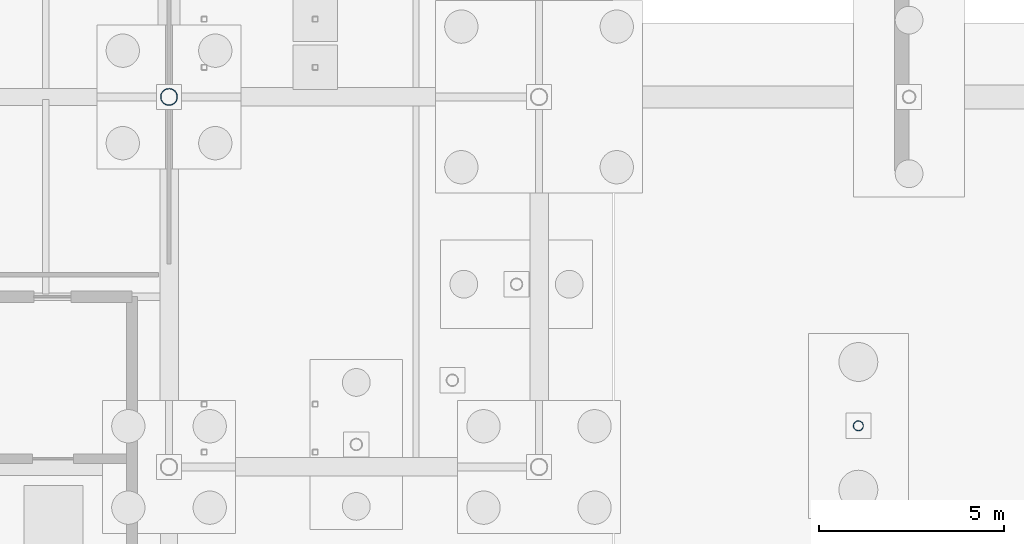
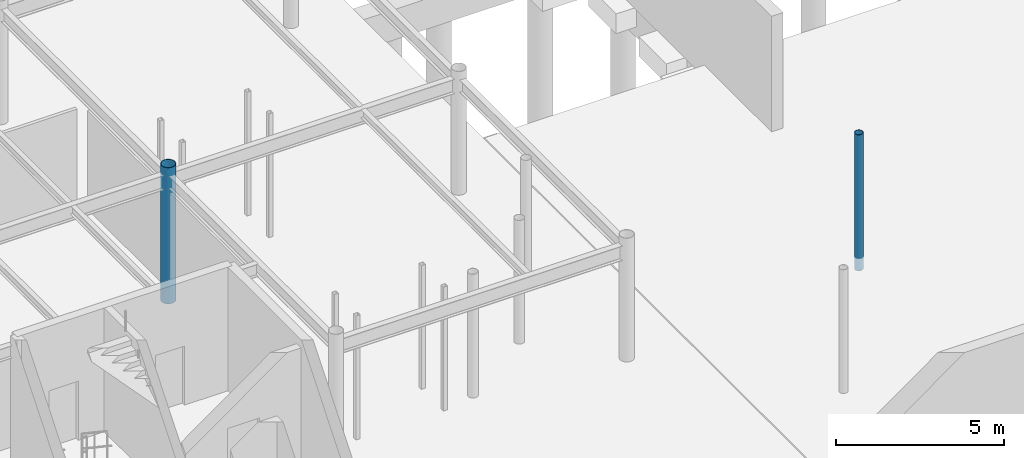
# One storey, part 41 of 75: 2 columns.
"""IFC4 building model written with IfcOpenShell, lengths in metres."""

from ifc_helpers import new_model, si_unit, derived_unit, direction, frame, origin, origin_2d_with_axis, place, context, subcontext, project, spatial, hollow_circle, extrude, material, material_profile, profile_set, type_object, element, save


model = new_model("IFC4")

# Units and contexts
model_context = context("Model", 3, precision=1e-05, world=origin(), true_north=direction((0.0, 1.0)))
body_context = subcontext(model_context, "Body", "Model", "MODEL_VIEW")
ifc_project = project(units=[si_unit("LENGTHUNIT", "METRE"), si_unit("AREAUNIT", "SQUARE_METRE"), si_unit("VOLUMEUNIT", "CUBIC_METRE"), si_unit("PLANEANGLEUNIT", "RADIAN"), si_unit("MASSUNIT", "GRAM", prefix="KILO"), derived_unit("THERMALTRANSMITTANCEUNIT", [(si_unit("POWERUNIT", "WATT"), 1), (si_unit("LENGTHUNIT", "METRE"), -2), (si_unit("THERMODYNAMICTEMPERATUREUNIT", "KELVIN"), -1)])], contexts=[model_context])

# Site, building, storey
site_placement = place(None, origin())
site = spatial("IfcSite", under=ifc_project, at=site_placement, CompositionType="ELEMENT")
building_placement = place(site_placement, origin())
building = spatial("IfcBuilding", under=site, at=building_placement, Name="Cinnabar Yard Market Hall", CompositionType="ELEMENT")
storey_placement = place(building_placement, frame((0.0, 0.0, -4.5)))
storey = spatial("IfcBuildingStorey", under=building, at=storey_placement, Name="B1", CompositionType="ELEMENT", Elevation=-4.5)

# Columns
ifc_material = material(Name="Spotted-gum glulam-clad steel Grade 350 (350 MPa)", Category="steel")
ifc_material_profile_1 = material_profile(ifc_material, hollow_circle(Radius=0.228515625, WallThickness=0.0126953125, at=origin_2d_with_axis()), Name="457.0x12.7CHS")
ifc_profile_set_1 = profile_set([ifc_material_profile_1], Name="Spotted-gum glulam-clad steel Grade 350 (350 MPa)")
column_type_1 = type_object("IfcColumnType", Name="COL-C01", PredefinedType="COLUMN", material=ifc_profile_set_1)
column_1_placement = place(storey_placement, frame((146.0, 34.0, -0.449951171875), z_axis=(0.0, 0.0, 1.0), x_axis=(1.0, 0.0, 0.0)))
element("IfcColumn", 1, at=column_1_placement, inside=storey, type_object=column_type_1, Name="Tree Column V1I-08-02 B1", PredefinedType="COLUMN", context=body_context, shape_type="SweptSolid", body=[
    extrude(hollow_circle(Radius=0.228515625, WallThickness=0.0126953125, at=origin_2d_with_axis()), origin(), (0.0, 0.0, 1.0), 4.949951171875),
])
ifc_material_profile_2 = material_profile(ifc_material, hollow_circle(Radius=0.136474609375, WallThickness=0.00927734375, at=origin_2d_with_axis()), Name="273.1x9.3CHS")
ifc_profile_set_2 = profile_set([ifc_material_profile_2], Name="Spotted-gum glulam-clad steel Grade 350 (350 MPa)")
column_type_2 = type_object("IfcColumnType", Name="COL-C04", PredefinedType="COLUMN", material=ifc_profile_set_2)
column_2_placement = place(storey_placement, frame((164.6298828125, 25.11181640625, -0.449951171875), z_axis=(0.0, 0.0, 1.0), x_axis=(1.0, 0.0, 0.0)))
element("IfcColumn", 2, at=column_2_placement, inside=storey, type_object=column_type_2, Name="Tree Column V1C-SE6 B1", PredefinedType="COLUMN", context=body_context, shape_type="SweptSolid", body=[
    extrude(hollow_circle(Radius=0.136474609375, WallThickness=0.00927734375, at=origin_2d_with_axis()), origin(), (0.0, 0.0, 1.0), 4.949951171875),
])

save(model, "model.ifc")
